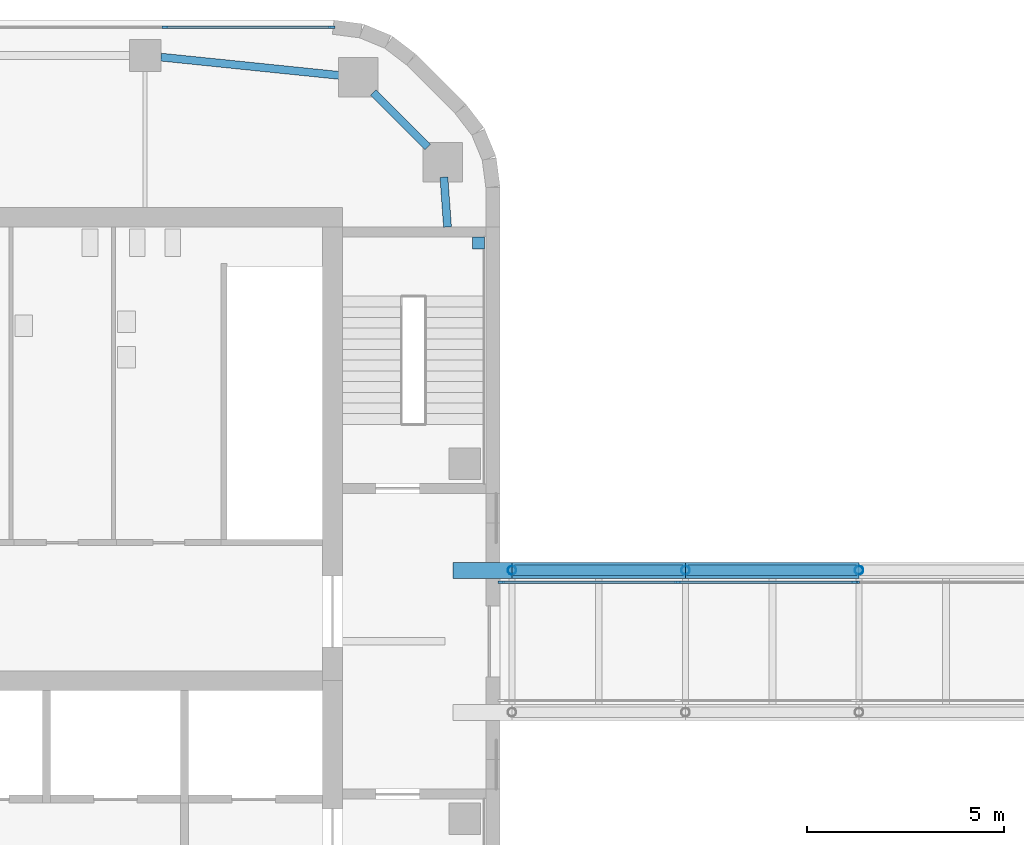
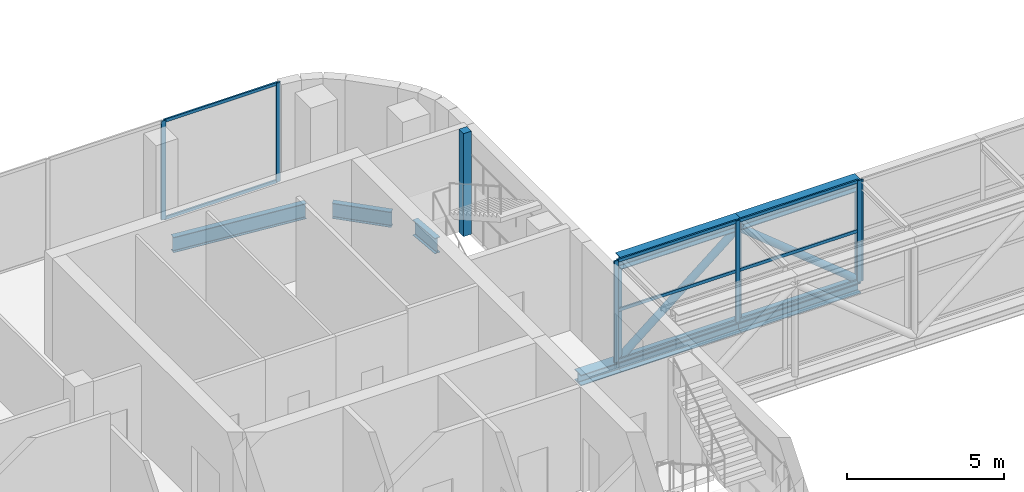
# One storey, part 7 of 24: 25 members, 3 beams, 3 elements without a shape of their own.
"""IFC4 building model written with IfcOpenShell, lengths in metres."""

from ifc_helpers import new_model, si_unit, direction, frame, origin, origin_2d, place, context, subcontext, project, spatial, rectangle, hollow_circle, i_section, extrude, material, material_profile, profile_set, type_object, element, aggregate, save


model = new_model("IFC4")

# Units and contexts
model_context = context("Model", 3, precision=1e-05, world=origin(), true_north=direction((0.0, 1.0)))
body_context = subcontext(model_context, "Body", "Model", "MODEL_VIEW")
ifc_project = project(units=[si_unit("LENGTHUNIT", "METRE"), si_unit("AREAUNIT", "SQUARE_METRE"), si_unit("VOLUMEUNIT", "CUBIC_METRE"), si_unit("PLANEANGLEUNIT", "RADIAN"), si_unit("MASSUNIT", "GRAM", prefix="KILO")], contexts=[model_context])

# Site, building, storey
site_placement = place(None, origin())
site = spatial("IfcSite", under=ifc_project, at=site_placement, CompositionType="ELEMENT")
building_placement = place(site_placement, origin())
building = spatial("IfcBuilding", under=site, at=building_placement, Name="Cinnabar Reach Civic Tower", CompositionType="ELEMENT")
storey_placement = place(building_placement, frame((0.0, 0.0, 71.0)))
storey = spatial("IfcBuildingStorey", under=building, at=storey_placement, Name="L16", CompositionType="ELEMENT", Elevation=71.0)

# Curtain wall, members
ifc_material_1 = material(Name="Aluminium and insulated spandrel panels", Category="aluminium")
curtain_wall_type_1 = type_object("IfcCurtainWallType", Name="Bridge 1 enclosure curtain wall", PredefinedType="NOTDEFINED", material=ifc_material_1)
curtain_wall_1_placement = place(storey_placement, origin())
curtain_wall_1 = element("IfcCurtainWall", 1, at=curtain_wall_1_placement, inside=storey, type_object=curtain_wall_type_1, Name="Bridge 1 enclosure 4", PredefinedType="NOTDEFINED")
ifc_material_2 = material(Name="Aluminium", Category="aluminium")
ifc_material_profile_1 = material_profile(ifc_material_2, rectangle(XDim=0.06, YDim=0.16, at=origin_2d()), Name="Bridge 1 enclosure mullion")
ifc_profile_set_1 = profile_set([ifc_material_profile_1], Name="Aluminium")
member_type_1 = type_object("IfcMemberType", Name="Bridge 1 enclosure mullion", PredefinedType="MULLION", material=ifc_profile_set_1)
member_1_placement = place(storey_placement, frame((-26.97, 33.0, 0.0), z_axis=(0.0, 0.0, 1.0), x_axis=(0.0, 1.0, 0.0)))
member_1 = element("IfcMember", 2, at=member_1_placement, type_object=member_type_1, Name="CW-BR1-4 mullion 1", PredefinedType="MULLION", context=body_context, shape_type="SweptSolid", body=[
    extrude(rectangle(XDim=0.06, YDim=0.16, at=origin_2d()), origin(), (0.0, 0.0, 1.0), 3.95),
])
member_2_placement = place(storey_placement, frame((-22.5, 33.0, 0.0), z_axis=(0.0, 0.0, 1.0), x_axis=(0.0, 1.0, 0.0)))
member_2 = element("IfcMember", 3, at=member_2_placement, type_object=member_type_1, Name="CW-BR1-4 mullion 2", PredefinedType="MULLION", context=body_context, shape_type="SweptSolid", body=[
    extrude(rectangle(XDim=0.06, YDim=0.16, at=origin_2d()), origin(), (0.0, 0.0, 1.0), 3.95),
])
member_3_placement = place(storey_placement, frame((-18.03, 33.0, 0.0), z_axis=(0.0, 0.0, 1.0), x_axis=(0.0, 1.0, 0.0)))
member_3 = element("IfcMember", 4, at=member_3_placement, type_object=member_type_1, Name="CW-BR1-4 mullion 3", PredefinedType="MULLION", context=body_context, shape_type="SweptSolid", body=[
    extrude(rectangle(XDim=0.06, YDim=0.16, at=origin_2d()), origin(), (0.0, 0.0, 1.0), 3.95),
])

# Curtain wall, member
curtain_wall_2_placement = place(storey_placement, origin())
curtain_wall_2 = element("IfcCurtainWall", 5, at=curtain_wall_2_placement, inside=storey, type_object=curtain_wall_type_1, Name="Bridge 1 enclosure 5", PredefinedType="NOTDEFINED")
member_4_placement = place(storey_placement, frame((-17.97, 33.0, 0.0), z_axis=(0.0, 0.0, 1.0), x_axis=(0.0, 1.0, 0.0)))
member_4 = element("IfcMember", 6, at=member_4_placement, type_object=member_type_1, Name="CW-BR1-5 mullion 1", PredefinedType="MULLION", context=body_context, shape_type="SweptSolid", body=[
    extrude(rectangle(XDim=0.06, YDim=0.16, at=origin_2d()), origin(), (0.0, 0.0, 1.0), 3.95),
])
aggregate(curtain_wall_2, [member_4])

# Member
ifc_material_profile_2 = material_profile(ifc_material_2, rectangle(XDim=0.06, YDim=0.12, at=origin_2d()), Name="Bridge 1 enclosure transom")
ifc_profile_set_2 = profile_set([ifc_material_profile_2], Name="Aluminium")
member_type_2 = type_object("IfcMemberType", Name="Bridge 1 enclosure transom", PredefinedType="USERDEFINED", material=ifc_profile_set_2)
member_5_placement = place(storey_placement, frame((-26.94, 33.0, 0.03), z_axis=(1.0, 0.0, 0.0), x_axis=(0.0, 1.0, 0.0)))
member_5 = element("IfcMember", 7, at=member_5_placement, type_object=member_type_2, Name="CW-BR1-4 transom 1.1", ObjectType="TRANSOM", PredefinedType="USERDEFINED", context=body_context, shape_type="SweptSolid", body=[
    extrude(rectangle(XDim=0.06, YDim=0.12, at=origin_2d()), origin(), (0.0, 0.0, 1.0), 4.41),
])

member_6_placement = place(storey_placement, frame((-26.94, 33.0, 2.0), z_axis=(1.0, 0.0, 0.0), x_axis=(0.0, 1.0, 0.0)))
member_6 = element("IfcMember", 8, at=member_6_placement, type_object=member_type_2, Name="CW-BR1-4 transom 1.2", ObjectType="TRANSOM", PredefinedType="USERDEFINED", context=body_context, shape_type="SweptSolid", body=[
    extrude(rectangle(XDim=0.06, YDim=0.12, at=origin_2d()), origin(), (0.0, 0.0, 1.0), 4.41),
])

member_7_placement = place(storey_placement, frame((-26.94, 33.0, 3.92), z_axis=(1.0, 0.0, 0.0), x_axis=(0.0, 1.0, 0.0)))
member_7 = element("IfcMember", 9, at=member_7_placement, type_object=member_type_2, Name="CW-BR1-4 transom 1.3", ObjectType="TRANSOM", PredefinedType="USERDEFINED", context=body_context, shape_type="SweptSolid", body=[
    extrude(rectangle(XDim=0.06, YDim=0.12, at=origin_2d()), origin(), (0.0, 0.0, 1.0), 4.41),
])

member_8_placement = place(storey_placement, frame((-22.47, 33.0, 0.03), z_axis=(1.0, 0.0, 0.0), x_axis=(0.0, 1.0, 0.0)))
member_8 = element("IfcMember", 10, at=member_8_placement, type_object=member_type_2, Name="CW-BR1-4 transom 2.1", ObjectType="TRANSOM", PredefinedType="USERDEFINED", context=body_context, shape_type="SweptSolid", body=[
    extrude(rectangle(XDim=0.06, YDim=0.12, at=origin_2d()), origin(), (0.0, 0.0, 1.0), 4.41),
])

member_9_placement = place(storey_placement, frame((-22.47, 33.0, 2.0), z_axis=(1.0, 0.0, 0.0), x_axis=(0.0, 1.0, 0.0)))
member_9 = element("IfcMember", 11, at=member_9_placement, type_object=member_type_2, Name="CW-BR1-4 transom 2.2", ObjectType="TRANSOM", PredefinedType="USERDEFINED", context=body_context, shape_type="SweptSolid", body=[
    extrude(rectangle(XDim=0.06, YDim=0.12, at=origin_2d()), origin(), (0.0, 0.0, 1.0), 4.41),
])

member_10_placement = place(storey_placement, frame((-22.47, 33.0, 3.92), z_axis=(1.0, 0.0, 0.0), x_axis=(0.0, 1.0, 0.0)))
member_10 = element("IfcMember", 12, at=member_10_placement, type_object=member_type_2, Name="CW-BR1-4 transom 2.3", ObjectType="TRANSOM", PredefinedType="USERDEFINED", context=body_context, shape_type="SweptSolid", body=[
    extrude(rectangle(XDim=0.06, YDim=0.12, at=origin_2d()), origin(), (0.0, 0.0, 1.0), 4.41),
])

aggregate(curtain_wall_1, [member_1, member_2, member_3, member_5, member_6, member_7, member_8, member_9, member_10])

# Members
ifc_material_3 = material(Name="Steel Q355B", Category="steel")
ifc_material_profile_3 = material_profile(ifc_material_3, hollow_circle(Radius=0.1095, WallThickness=0.008, at=origin_2d()), Name="CHS219x8")
ifc_profile_set_3 = profile_set([ifc_material_profile_3], Name="Steel Q355B")
member_type_3 = type_object("IfcMemberType", Name="CHS219x8 bridge post", PredefinedType="POST", material=ifc_profile_set_3)
for number, where, z_axis, x_axis, name in (
    (13, (-26.7, 33.3, -0.15), (0.0, 0.0, 1.0), (1.0, 0.0, 0.0), "BR1 truss post"),
    (14, (-22.3, 33.3, -0.15), (0.0, 0.0, 1.0), (1.0, 0.0, 0.0), "BR1 truss post"),
    (15, (-17.9, 33.3, -0.15), (0.0, 0.0, 1.0), (1.0, 0.0, 0.0), "BR1 truss post"),
):
    element("IfcMember", number, at=place(storey_placement, frame(where, z_axis=z_axis, x_axis=x_axis)), inside=storey, type_object=member_type_3, Name=name, PredefinedType="POST", context=body_context, shape_type="SweptSolid", body=[
        extrude(hollow_circle(Radius=0.1095, WallThickness=0.008, at=origin_2d()), origin(), (0.0, 0.0, 1.0), 3.586),
    ])
ifc_material_profile_4 = material_profile(ifc_material_3, hollow_circle(Radius=0.1365, WallThickness=0.01, at=origin_2d()), Name="CHS273x10")
ifc_profile_set_4 = profile_set([ifc_material_profile_4], Name="Steel Q355B")
member_type_4 = type_object("IfcMemberType", Name="CHS273x10 bridge brace", PredefinedType="BRACE", material=ifc_profile_set_4)
for number, where, z_axis, x_axis, name in (
    (16, (-26.7, 33.3, -0.15), (0.775164685486, 0.0, 0.631759218671), (0.0, 1.0, 0.0), "BR1 truss diagonal"),
    (17, (-22.3, 33.3, 3.436), (0.775164685486, 0.0, -0.631759218671), (0.0, 1.0, 0.0), "BR1 truss diagonal"),
):
    element("IfcMember", number, at=place(storey_placement, frame(where, z_axis=z_axis, x_axis=x_axis)), inside=storey, type_object=member_type_4, Name=name, PredefinedType="BRACE", context=body_context, shape_type="SweptSolid", body=[
        extrude(hollow_circle(Radius=0.1365, WallThickness=0.01, at=origin_2d()), origin(), (0.0, 0.0, 1.0), 5.6762),
    ])

# Beams
ifc_material_profile_5 = material_profile(ifc_material_3, i_section(OverallWidth=0.2, OverallDepth=0.6, WebThickness=0.011, FlangeThickness=0.017, FilletRadius=0.016, at=origin_2d()), Name="HN600x200x11x17")
ifc_profile_set_5 = profile_set([ifc_material_profile_5], Name="Steel Q355B")
beam_type = type_object("IfcBeamType", Name="HN600x200x11x17 beam R 120", PredefinedType="BEAM", material=ifc_profile_set_5)
beam_1_placement = place(storey_placement, frame((-28.3341, 42.002, -0.45), z_axis=(-0.072116143061, 0.997396241175, 0.0), x_axis=(-0.997396241175, -0.072116143061, 0.0)))
element("IfcBeam", 18, at=beam_1_placement, inside=storey, type_object=beam_type, Name="Edge beam T2 L16 7", PredefinedType="BEAM", context=body_context, shape_type="SweptSolid", body=[
    extrude(i_section(OverallWidth=0.2, OverallDepth=0.6, WebThickness=0.011, FlangeThickness=0.017, FilletRadius=0.016, at=origin_2d()), origin(), (0.0, 0.0, 1.0), 1.2674),
])
beam_2_placement = place(storey_placement, frame((-28.8351, 44.0301, -0.45), z_axis=(-0.707106781187, 0.707106781187, 0.0), x_axis=(-0.707106781187, -0.707106781187, 0.0)))
element("IfcBeam", 19, at=beam_2_placement, inside=storey, type_object=beam_type, Name="Edge beam T2 L16 8", PredefinedType="BEAM", context=body_context, shape_type="SweptSolid", body=[
    extrude(i_section(OverallWidth=0.2, OverallDepth=0.6, WebThickness=0.011, FlangeThickness=0.017, FilletRadius=0.016, at=origin_2d()), origin(), (0.0, 0.0, 1.0), 1.9584),
])
beam_3_placement = place(storey_placement, frame((-30.9839, 45.836, -0.45), z_axis=(-0.994791084875, 0.101934770579, 0.0), x_axis=(-0.101934770579, -0.994791084875, 0.0)))
element("IfcBeam", 20, at=beam_3_placement, inside=storey, type_object=beam_type, Name="Edge beam T2 L16 9", PredefinedType="BEAM", context=body_context, shape_type="SweptSolid", body=[
    extrude(i_section(OverallWidth=0.2, OverallDepth=0.6, WebThickness=0.011, FlangeThickness=0.017, FilletRadius=0.016, at=origin_2d()), origin(), (0.0, 0.0, 1.0), 4.6383),
])

# Members
ifc_material_profile_6 = material_profile(ifc_material_3, i_section(OverallWidth=0.405, OverallDepth=0.414, WebThickness=0.018, FlangeThickness=0.028, FilletRadius=0.016, at=origin_2d()), Name="HW414x405x18x28")
ifc_profile_set_6 = profile_set([ifc_material_profile_6], Name="Steel Q355B")
member_type_5 = type_object("IfcMemberType", Name="HW414x405x18x28 bridge chord", PredefinedType="CHORD", material=ifc_profile_set_6)
member_11_placement = place(storey_placement, frame((-28.2, 33.3, -0.357), z_axis=(1.0, 0.0, 0.0), x_axis=(0.0, 1.0, 0.0)))
element("IfcMember", 21, at=member_11_placement, inside=storey, type_object=member_type_5, Name="BR1 truss bottom chord", PredefinedType="CHORD", context=body_context, shape_type="SweptSolid", body=[
    extrude(i_section(OverallWidth=0.405, OverallDepth=0.414, WebThickness=0.018, FlangeThickness=0.028, FilletRadius=0.016, at=origin_2d()), origin(), (0.0, 0.0, 1.0), 1.5),
])
for number, where, z_axis, x_axis, name in (
    (22, (-26.7, 33.3, -0.357), (1.0, 0.0, 0.0), (0.0, 1.0, 0.0), "BR1 truss bottom chord"),
    (23, (-22.3, 33.3, -0.357), (1.0, 0.0, 0.0), (0.0, 1.0, 0.0), "BR1 truss bottom chord"),
    (24, (-26.7, 33.3, 3.643), (1.0, 0.0, 0.0), (0.0, 1.0, 0.0), "BR1 truss top chord"),
    (25, (-22.3, 33.3, 3.643), (1.0, 0.0, 0.0), (0.0, 1.0, 0.0), "BR1 truss top chord"),
):
    element("IfcMember", number, at=place(storey_placement, frame(where, z_axis=z_axis, x_axis=x_axis)), inside=storey, type_object=member_type_5, Name=name, PredefinedType="CHORD", context=body_context, shape_type="SweptSolid", body=[
        extrude(i_section(OverallWidth=0.405, OverallDepth=0.414, WebThickness=0.018, FlangeThickness=0.028, FilletRadius=0.016, at=origin_2d()), origin(), (0.0, 0.0, 1.0), 4.4),
    ])
ifc_material_4 = material(Name="Concrete C40", Category="concrete")
ifc_material_profile_7 = material_profile(ifc_material_4, rectangle(XDim=0.3, YDim=0.3, at=origin_2d()), Name="C300")
ifc_profile_set_7 = profile_set([ifc_material_profile_7], Name="Concrete C40")
member_type_6 = type_object("IfcMemberType", Name="T2 stair post 300", PredefinedType="STRUT", material=ifc_profile_set_7)
member_12_placement = place(storey_placement, frame((-27.55, 41.6, 0.0), z_axis=(0.0, 0.0, 1.0), x_axis=(1.0, 0.0, 0.0)))
element("IfcMember", 26, at=member_12_placement, inside=storey, type_object=member_type_6, Name="Stair post 2", PredefinedType="STRUT", context=body_context, shape_type="SweptSolid", body=[
    extrude(rectangle(XDim=0.3, YDim=0.3, at=origin_2d()), origin(), (0.0, 0.0, 1.0), 4.0),
])

# Curtain wall, members
ifc_material_5 = material(Name="Aluminium and clear double glazing", Category="aluminium")
curtain_wall_type_2 = type_object("IfcCurtainWallType", Name="Tower 2 sky lobby and amenity curtain wall", PredefinedType="NOTDEFINED", material=ifc_material_5)
curtain_wall_3_placement = place(storey_placement, origin())
curtain_wall_3 = element("IfcCurtainWall", 27, at=curtain_wall_3_placement, inside=storey, type_object=curtain_wall_type_2, Name="Tower 2 sky lobby and amenity 2", PredefinedType="NOTDEFINED")
ifc_material_profile_8 = material_profile(ifc_material_2, rectangle(XDim=0.06, YDim=0.16, at=origin_2d()), Name="Tower 2 sky lobby and amenity mullion")
ifc_profile_set_8 = profile_set([ifc_material_profile_8], Name="Aluminium")
member_type_7 = type_object("IfcMemberType", Name="Tower 2 sky lobby and amenity mullion", PredefinedType="MULLION", material=ifc_profile_set_8)
member_13_placement = place(storey_placement, frame((-31.2726, 47.07, 0.0), z_axis=(0.0, 0.0, 1.0), x_axis=(0.0, -1.0, 0.0)))
member_13 = element("IfcMember", 28, at=member_13_placement, type_object=member_type_7, Name="CW-T2SKY-2 mullion 1", PredefinedType="MULLION", context=body_context, shape_type="SweptSolid", body=[
    extrude(rectangle(XDim=0.06, YDim=0.16, at=origin_2d()), origin(), (0.0, 0.0, 1.0), 3.85),
])
member_14_placement = place(storey_placement, frame((-35.4947, 47.07, 0.0), z_axis=(0.0, 0.0, 1.0), x_axis=(0.0, -1.0, 0.0)))
member_14 = element("IfcMember", 29, at=member_14_placement, type_object=member_type_7, Name="CW-T2SKY-2 mullion 2", PredefinedType="MULLION", context=body_context, shape_type="SweptSolid", body=[
    extrude(rectangle(XDim=0.06, YDim=0.16, at=origin_2d()), origin(), (0.0, 0.0, 1.0), 3.85),
])
ifc_material_profile_9 = material_profile(ifc_material_2, rectangle(XDim=0.06, YDim=0.12, at=origin_2d()), Name="Tower 2 sky lobby and amenity transom")
ifc_profile_set_9 = profile_set([ifc_material_profile_9], Name="Aluminium")
member_type_8 = type_object("IfcMemberType", Name="Tower 2 sky lobby and amenity transom", PredefinedType="USERDEFINED", material=ifc_profile_set_9)
member_15_placement = place(storey_placement, frame((-31.3026, 47.07, 0.03), z_axis=(-1.0, 0.0, 0.0), x_axis=(0.0, -1.0, 0.0)))
member_15 = element("IfcMember", 30, at=member_15_placement, type_object=member_type_8, Name="CW-T2SKY-2 transom 1.1", ObjectType="TRANSOM", PredefinedType="USERDEFINED", context=body_context, shape_type="SweptSolid", body=[
    extrude(rectangle(XDim=0.06, YDim=0.12, at=origin_2d()), origin(), (0.0, 0.0, 1.0), 4.1621),
])
member_16_placement = place(storey_placement, frame((-31.3026, 47.07, 3.82), z_axis=(-1.0, 0.0, 0.0), x_axis=(0.0, -1.0, 0.0)))
member_16 = element("IfcMember", 31, at=member_16_placement, type_object=member_type_8, Name="CW-T2SKY-2 transom 1.2", ObjectType="TRANSOM", PredefinedType="USERDEFINED", context=body_context, shape_type="SweptSolid", body=[
    extrude(rectangle(XDim=0.06, YDim=0.12, at=origin_2d()), origin(), (0.0, 0.0, 1.0), 4.1621),
])
aggregate(curtain_wall_3, [member_13, member_14, member_15, member_16])

save(model, "model.ifc")
